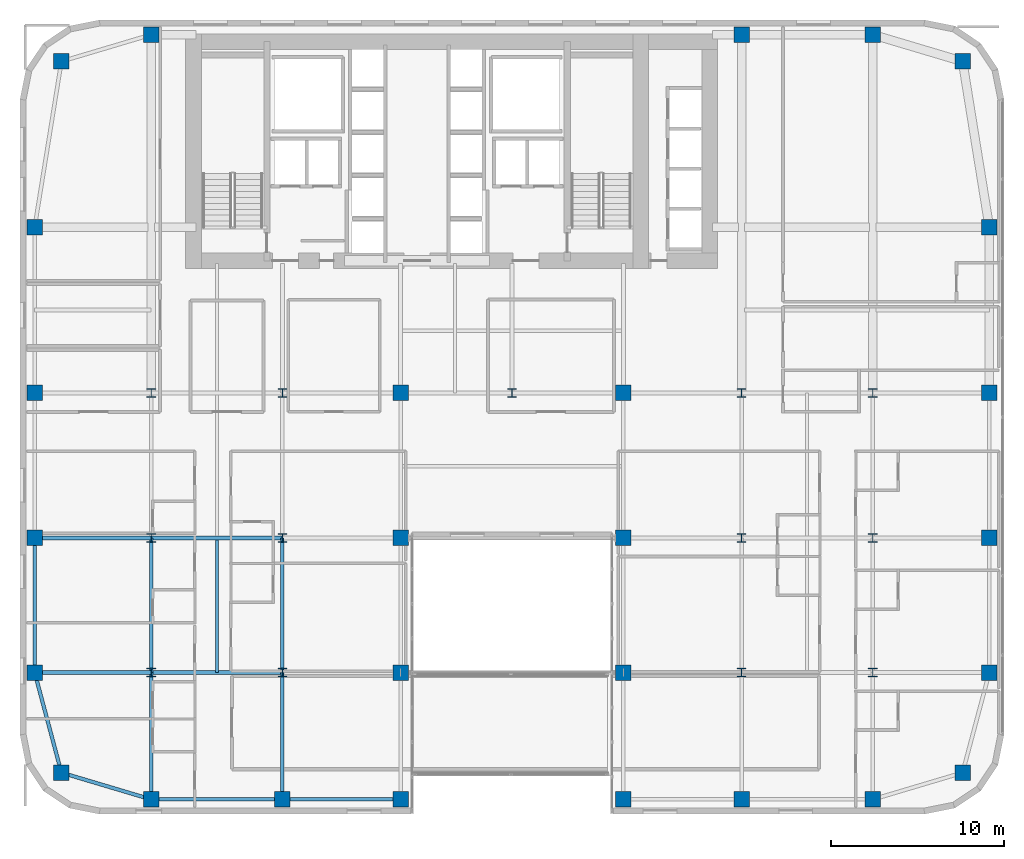
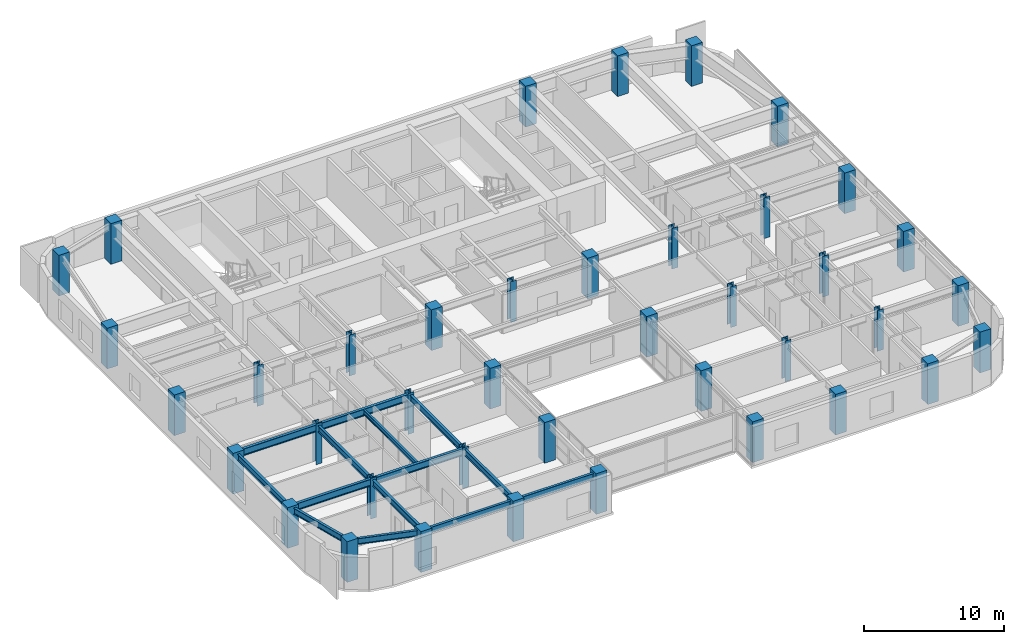
# One storey, part 1 of 25: 40 columns, 14 beams.
"""IFC4 building model written with IfcOpenShell, lengths in metres."""

from ifc_helpers import new_model, si_unit, direction, frame, origin, origin_2d, place, context, subcontext, project, spatial, rectangle, i_section, extrude, source, transform, mapped, material, material_profile, profile_set, type_object, type_shapes, element, save


model = new_model("IFC4")

# Units and contexts
model_context = context("Model", 3, precision=1e-05, world=origin(), true_north=direction((0.0, 1.0)))
body_context = subcontext(model_context, "Body", "Model", "MODEL_VIEW")
ifc_project = project(units=[si_unit("LENGTHUNIT", "METRE"), si_unit("AREAUNIT", "SQUARE_METRE"), si_unit("VOLUMEUNIT", "CUBIC_METRE"), si_unit("PLANEANGLEUNIT", "RADIAN"), si_unit("MASSUNIT", "GRAM", prefix="KILO")], contexts=[model_context])

# Site, building, storey
site_placement = place(None, origin())
site = spatial("IfcSite", under=ifc_project, at=site_placement, CompositionType="ELEMENT")
building_placement = place(site_placement, origin())
building = spatial("IfcBuilding", under=site, at=building_placement, Name="Tolvann Quenvar Hotel", CompositionType="ELEMENT")
storey_placement = place(building_placement, frame((0.0, 0.0, 78.14990234375)))
storey = spatial("IfcBuildingStorey", under=building, at=storey_placement, Name="L19", CompositionType="ELEMENT", Elevation=78.14990234375)

# Columns
ifc_material_1 = material(Name="Concrete S65 (65 MPa)", Category="concrete")
ifc_material_profile_1 = material_profile(ifc_material_1, rectangle(XDim=0.89990234375, YDim=0.89990234375, at=origin_2d()), Name="RC900x900")
ifc_profile_set_1 = profile_set([ifc_material_profile_1], Name="Concrete S65 (65 MPa)")
column_type_1 = type_object("IfcColumnType", Name="COL_RC900", PredefinedType="COLUMN", material=ifc_profile_set_1)
shared_shape_1 = source(origin(), body_context, "Body", "SweptSolid", [
    extrude(rectangle(XDim=0.89990234375, YDim=0.89990234375, at=origin_2d()), origin(), (0.0, 0.0, 1.0), 3.550048828125),
])
type_shapes(column_type_1, [shared_shape_1])
for number, where, z_axis, x_axis, name in (
    (1, (2.39990234375, 2.39990234375, 0.0), (0.0, 0.0, 1.0), (1.0, 0.0, 0.0), "Column B2 (L19)"),
    (2, (0.85009765625, 8.199951171875, 0.0), (0.0, 0.0, 1.0), (1.0, 0.0, 0.0), "Column B3 (L19)"),
    (3, (0.85009765625, 16.0, 0.0), (0.0, 0.0, 1.0), (1.0, 0.0, 0.0), "Column B4 (L19)"),
    (4, (0.85009765625, 24.39990234375, 0.0), (0.0, 0.0, 1.0), (1.0, 0.0, 0.0), "Column B5 (L19)"),
    (5, (7.60009765625, 0.85009765625, 0.0), (0.0, 0.0, 1.0), (1.0, 0.0, 0.0), "Column C2 (L19)"),
    (6, (15.199951171875, 0.85009765625, 0.0), (0.0, 0.0, 1.0), (1.0, 0.0, 0.0), "Column D2 (L19)"),
    (7, (22.050048828125, 0.85009765625, 0.0), (0.0, 0.0, 1.0), (1.0, 0.0, 0.0), "Column E2 (L19)"),
    (8, (22.050048828125, 8.199951171875, 0.0), (0.0, 0.0, 1.0), (1.0, 0.0, 0.0), "Column E3 (L19)"),
    (9, (22.050048828125, 16.0, 0.0), (0.0, 0.0, 1.0), (1.0, 0.0, 0.0), "Column E4 (L19)"),
    (10, (22.050048828125, 24.39990234375, 0.0), (0.0, 0.0, 1.0), (1.0, 0.0, 0.0), "Column E5 (L19)"),
    (11, (34.949951171875, 0.85009765625, 0.0), (0.0, 0.0, 1.0), (1.0, 0.0, 0.0), "Column F2 (L19)"),
    (12, (34.949951171875, 8.199951171875, 0.0), (0.0, 0.0, 1.0), (1.0, 0.0, 0.0), "Column F3 (L19)"),
    (13, (34.949951171875, 16.0, 0.0), (0.0, 0.0, 1.0), (1.0, 0.0, 0.0), "Column F4 (L19)"),
    (14, (34.949951171875, 24.39990234375, 0.0), (0.0, 0.0, 1.0), (1.0, 0.0, 0.0), "Column F5 (L19)"),
    (15, (41.800048828125, 0.85009765625, 0.0), (0.0, 0.0, 1.0), (1.0, 0.0, 0.0), "Column H2 (L19)"),
    (16, (49.39990234375, 0.85009765625, 0.0), (0.0, 0.0, 1.0), (1.0, 0.0, 0.0), "Column I2 (L19)"),
    (17, (54.60009765625, 2.39990234375, 0.0), (0.0, 0.0, 1.0), (1.0, 0.0, 0.0), "Column J2 (L19)"),
    (18, (56.14990234375, 8.199951171875, 0.0), (0.0, 0.0, 1.0), (1.0, 0.0, 0.0), "Column J3 (L19)"),
    (19, (56.14990234375, 16.0, 0.0), (0.0, 0.0, 1.0), (1.0, 0.0, 0.0), "Column J4 (L19)"),
    (20, (56.14990234375, 24.39990234375, 0.0), (0.0, 0.0, 1.0), (1.0, 0.0, 0.0), "Column J5 (L19)"),
    (21, (2.39990234375, 43.60009765625, 0.0), (0.0, 0.0, 1.0), (1.0, 0.0, 0.0), "Column BN (L19)"),
    (22, (7.60009765625, 45.14990234375, 0.0), (0.0, 0.0, 1.0), (1.0, 0.0, 0.0), "Column CN (L19)"),
    (23, (0.85009765625, 34.0, 0.0), (0.0, 0.0, 1.0), (1.0, 0.0, 0.0), "Column BD6 (L19)"),
    (24, (41.800048828125, 45.14990234375, 0.0), (0.0, 0.0, 1.0), (1.0, 0.0, 0.0), "Column HN (L19)"),
    (25, (49.39990234375, 45.14990234375, 0.0), (0.0, 0.0, 1.0), (1.0, 0.0, 0.0), "Column IN (L19)"),
    (26, (54.60009765625, 43.60009765625, 0.0), (0.0, 0.0, 1.0), (1.0, 0.0, 0.0), "Column JN (L19)"),
    (27, (56.14990234375, 34.0, 0.0), (0.0, 0.0, 1.0), (1.0, 0.0, 0.0), "Column JD6 (L19)"),
):
    element("IfcColumn", number, at=place(storey_placement, frame(where, z_axis=z_axis, x_axis=x_axis)), inside=storey, type_object=column_type_1, Name=name, PredefinedType="COLUMN", context=body_context, shape_type="MappedRepresentation", body=[
        mapped(shared_shape_1, transform((0.0, 0.0, 0.0), x_axis=(1.0, 0.0, 0.0), y_axis=(0.0, 1.0, 0.0), z_axis=(0.0, 0.0, 1.0), scale=1.0)),
    ])
ifc_material_2 = material(Name="Steel Grade 350", Category="steel")
ifc_material_profile_2 = material_profile(ifc_material_2, i_section(OverallWidth=0.5, OverallDepth=0.5, WebThickness=0.02197265625, FlangeThickness=0.033935546875, at=origin_2d()), Name="500WC340")
ifc_profile_set_2 = profile_set([ifc_material_profile_2], Name="Steel Grade 350")
column_type_2 = type_object("IfcColumnType", Name="COL_500WC340", PredefinedType="COLUMN", material=ifc_profile_set_2)
shared_shape_2 = source(origin(), body_context, "Body", "SweptSolid", [
    extrude(i_section(OverallWidth=0.5, OverallDepth=0.5, WebThickness=0.02197265625, FlangeThickness=0.033935546875, at=origin_2d()), origin(), (0.0, 0.0, 1.0), 3.550048828125),
])
type_shapes(column_type_2, [shared_shape_2])
for number, where, z_axis, x_axis, name in (
    (28, (7.60009765625, 8.199951171875, 0.0), (0.0, 0.0, 1.0), (1.0, 0.0, 0.0), "Column C3 (L19)"),
    (29, (7.60009765625, 16.0, 0.0), (0.0, 0.0, 1.0), (1.0, 0.0, 0.0), "Column C4 (L19)"),
    (30, (7.60009765625, 24.39990234375, 0.0), (0.0, 0.0, 1.0), (1.0, 0.0, 0.0), "Column C5 (L19)"),
    (31, (15.199951171875, 8.199951171875, 0.0), (0.0, 0.0, 1.0), (1.0, 0.0, 0.0), "Column D3 (L19)"),
    (32, (15.199951171875, 16.0, 0.0), (0.0, 0.0, 1.0), (1.0, 0.0, 0.0), "Column D4 (L19)"),
    (33, (15.199951171875, 24.39990234375, 0.0), (0.0, 0.0, 1.0), (1.0, 0.0, 0.0), "Column D5 (L19)"),
    (34, (41.800048828125, 8.199951171875, 0.0), (0.0, 0.0, 1.0), (1.0, 0.0, 0.0), "Column H3 (L19)"),
    (35, (41.800048828125, 16.0, 0.0), (0.0, 0.0, 1.0), (1.0, 0.0, 0.0), "Column H4 (L19)"),
    (36, (41.800048828125, 24.39990234375, 0.0), (0.0, 0.0, 1.0), (1.0, 0.0, 0.0), "Column H5 (L19)"),
    (37, (49.39990234375, 8.199951171875, 0.0), (0.0, 0.0, 1.0), (1.0, 0.0, 0.0), "Column I3 (L19)"),
    (38, (49.39990234375, 16.0, 0.0), (0.0, 0.0, 1.0), (1.0, 0.0, 0.0), "Column I4 (L19)"),
    (39, (49.39990234375, 24.39990234375, 0.0), (0.0, 0.0, 1.0), (1.0, 0.0, 0.0), "Column I5 (L19)"),
    (40, (28.5, 24.39990234375, 0.0), (0.0, 0.0, 1.0), (1.0, 0.0, 0.0), "Column M5 (L19)"),
):
    element("IfcColumn", number, at=place(storey_placement, frame(where, z_axis=z_axis, x_axis=x_axis)), inside=storey, type_object=column_type_2, Name=name, PredefinedType="COLUMN", context=body_context, shape_type="MappedRepresentation", body=[
        mapped(shared_shape_2, transform((0.0, 0.0, 0.0), x_axis=(1.0, 0.0, 0.0), y_axis=(0.0, 1.0, 0.0), z_axis=(0.0, 0.0, 1.0), scale=1.0)),
    ])

# Beams
ifc_material_profile_3 = material_profile(ifc_material_2, i_section(OverallWidth=0.208984375, OverallDepth=0.528076171875, WebThickness=0.009521484375, FlangeThickness=0.01318359375, FilletRadius=0.013916015625, at=origin_2d()), Name="530UB82")
ifc_profile_set_3 = profile_set([ifc_material_profile_3], Name="Steel Grade 350")
beam_type_1 = type_object("IfcBeamType", Name="BM_SPAND_530UB82", PredefinedType="SPANDREL", material=ifc_profile_set_3)
shared_shape_3 = source(origin(), body_context, "Body", "SweptSolid", [
    extrude(i_section(OverallWidth=0.208984375, OverallDepth=0.528076171875, WebThickness=0.009521484375, FlangeThickness=0.01318359375, FilletRadius=0.013916015625, at=origin_2d()), origin(), (0.0, 0.0, 1.0), 5.42626953125),
])
beam_1_placement = place(storey_placement, frame((2.39990234375, 2.39990234375, 3.106201171875), z_axis=(0.958344815522, -0.285613750654, 0.0), x_axis=(0.285613750654, 0.958344815522, 0.0)))
element("IfcBeam", 41, at=beam_1_placement, inside=storey, type_object=beam_type_1, Name="BM-L19-EW-2-B2-C2", PredefinedType="SPANDREL", context=body_context, shape_type="MappedRepresentation", body=[
    mapped(shared_shape_3, transform((0.0, 0.0, 0.0), x_axis=(1.0, 0.0, 0.0), y_axis=(0.0, 1.0, 0.0), z_axis=(0.0, 0.0, 1.0), scale=1.0)),
])
shared_shape_4 = source(origin(), body_context, "Body", "SweptSolid", [
    extrude(i_section(OverallWidth=0.208984375, OverallDepth=0.528076171875, WebThickness=0.009521484375, FlangeThickness=0.01318359375, FilletRadius=0.013916015625, at=origin_2d()), origin(), (0.0, 0.0, 1.0), 7.599853515625),
])
beam_2_placement = place(storey_placement, frame((7.60009765625, 0.85009765625, 3.106201171875), z_axis=(1.0, 0.0, 0.0), x_axis=(0.0, 1.0, 0.0)))
element("IfcBeam", 42, at=beam_2_placement, inside=storey, type_object=beam_type_1, Name="BM-L19-EW-2-C2-D2", PredefinedType="SPANDREL", context=body_context, shape_type="MappedRepresentation", body=[
    mapped(shared_shape_4, transform((0.0, 0.0, 0.0), x_axis=(1.0, 0.0, 0.0), y_axis=(0.0, 1.0, 0.0), z_axis=(0.0, 0.0, 1.0), scale=1.0)),
])
shared_shape_5 = source(origin(), body_context, "Body", "SweptSolid", [
    extrude(i_section(OverallWidth=0.208984375, OverallDepth=0.528076171875, WebThickness=0.009521484375, FlangeThickness=0.01318359375, FilletRadius=0.013916015625, at=origin_2d()), origin(), (0.0, 0.0, 1.0), 6.85009765625),
])
beam_3_placement = place(storey_placement, frame((15.199951171875, 0.85009765625, 3.106201171875), z_axis=(1.0, 0.0, 0.0), x_axis=(0.0, 1.0, 0.0)))
element("IfcBeam", 43, at=beam_3_placement, inside=storey, type_object=beam_type_1, Name="BM-L19-EW-2-D2-E2", PredefinedType="SPANDREL", context=body_context, shape_type="MappedRepresentation", body=[
    mapped(shared_shape_5, transform((0.0, 0.0, 0.0), x_axis=(1.0, 0.0, 0.0), y_axis=(0.0, 1.0, 0.0), z_axis=(0.0, 0.0, 1.0), scale=1.0)),
])
ifc_material_profile_4 = material_profile(ifc_material_2, i_section(OverallWidth=0.22900390625, OverallDepth=0.612060546875, WebThickness=0.011962890625, FlangeThickness=0.01953125, FilletRadius=0.013916015625, at=origin_2d()), Name="610UB125")
ifc_profile_set_4 = profile_set([ifc_material_profile_4], Name="Steel Grade 350")
beam_type_2 = type_object("IfcBeamType", Name="BM_GIRD_610UB125", PredefinedType="BEAM", material=ifc_profile_set_4)
shared_shape_6 = source(origin(), body_context, "Body", "SweptSolid", [
    extrude(i_section(OverallWidth=0.22900390625, OverallDepth=0.612060546875, WebThickness=0.011962890625, FlangeThickness=0.01953125, FilletRadius=0.013916015625, at=origin_2d()), origin(), (0.0, 0.0, 1.0), 6.75),
])
for number, where, z_axis, x_axis, name in (
    (44, (0.85009765625, 8.199951171875, 3.064208984375), (1.0, 0.0, 0.0), (0.0, 1.0, 0.0), "BM-L19-EW-3-B3-C3"),
    (45, (0.85009765625, 16.0, 3.064208984375), (1.0, 0.0, 0.0), (0.0, 1.0, 0.0), "BM-L19-EW-4-B4-C4"),
):
    element("IfcBeam", number, at=place(storey_placement, frame(where, z_axis=z_axis, x_axis=x_axis)), inside=storey, type_object=beam_type_2, Name=name, PredefinedType="BEAM", context=body_context, shape_type="MappedRepresentation", body=[
        mapped(shared_shape_6, transform((0.0, 0.0, 0.0), x_axis=(1.0, 0.0, 0.0), y_axis=(0.0, 1.0, 0.0), z_axis=(0.0, 0.0, 1.0), scale=1.0)),
    ])
shared_shape_7 = source(origin(), body_context, "Body", "SweptSolid", [
    extrude(i_section(OverallWidth=0.22900390625, OverallDepth=0.612060546875, WebThickness=0.011962890625, FlangeThickness=0.01953125, FilletRadius=0.013916015625, at=origin_2d()), origin(), (0.0, 0.0, 1.0), 7.599853515625),
])
type_shapes(beam_type_2, [shared_shape_6, shared_shape_7])
for number, where, z_axis, x_axis, name in (
    (46, (7.60009765625, 8.199951171875, 3.064208984375), (1.0, 0.0, 0.0), (0.0, 1.0, 0.0), "BM-L19-EW-3-C3-D3"),
    (47, (7.60009765625, 16.0, 3.064208984375), (1.0, 0.0, 0.0), (0.0, 1.0, 0.0), "BM-L19-EW-4-C4-D4"),
):
    element("IfcBeam", number, at=place(storey_placement, frame(where, z_axis=z_axis, x_axis=x_axis)), inside=storey, type_object=beam_type_2, Name=name, PredefinedType="BEAM", context=body_context, shape_type="MappedRepresentation", body=[
        mapped(shared_shape_7, transform((0.0, 0.0, 0.0), x_axis=(1.0, 0.0, 0.0), y_axis=(0.0, 1.0, 0.0), z_axis=(0.0, 0.0, 1.0), scale=1.0)),
    ])
shared_shape_8 = source(origin(), body_context, "Body", "SweptSolid", [
    extrude(i_section(OverallWidth=0.208984375, OverallDepth=0.528076171875, WebThickness=0.009521484375, FlangeThickness=0.01318359375, FilletRadius=0.013916015625, at=origin_2d()), origin(), (0.0, 0.0, 1.0), 6.00341796875),
])
beam_4_placement = place(storey_placement, frame((2.39990234375, 2.39990234375, 3.106201171875), z_axis=(-0.258148586649, 0.966105225745, 0.0), x_axis=(-0.966105225745, -0.258148586649, 0.0)))
element("IfcBeam", 48, at=beam_4_placement, inside=storey, type_object=beam_type_1, Name="BM-L19-NS-B2-B3", PredefinedType="SPANDREL", context=body_context, shape_type="MappedRepresentation", body=[
    mapped(shared_shape_8, transform((0.0, 0.0, 0.0), x_axis=(1.0, 0.0, 0.0), y_axis=(0.0, 1.0, 0.0), z_axis=(0.0, 0.0, 1.0), scale=1.0)),
])
shared_shape_9 = source(origin(), body_context, "Body", "SweptSolid", [
    extrude(i_section(OverallWidth=0.208984375, OverallDepth=0.528076171875, WebThickness=0.009521484375, FlangeThickness=0.01318359375, FilletRadius=0.013916015625, at=origin_2d()), origin(), (0.0, 0.0, 1.0), 7.800048828125),
])
type_shapes(beam_type_1, [shared_shape_3, shared_shape_4, shared_shape_5, shared_shape_8, shared_shape_9])
beam_5_placement = place(storey_placement, frame((0.85009765625, 8.199951171875, 3.106201171875), z_axis=(0.0, 1.0, 0.0), x_axis=(-1.0, 0.0, 0.0)))
element("IfcBeam", 49, at=beam_5_placement, inside=storey, type_object=beam_type_1, Name="BM-L19-NS-B3-B4", PredefinedType="SPANDREL", context=body_context, shape_type="MappedRepresentation", body=[
    mapped(shared_shape_9, transform((0.0, 0.0, 0.0), x_axis=(1.0, 0.0, 0.0), y_axis=(0.0, 1.0, 0.0), z_axis=(0.0, 0.0, 1.0), scale=1.0)),
])
ifc_material_profile_5 = material_profile(ifc_material_2, i_section(OverallWidth=0.208984375, OverallDepth=0.532958984375, WebThickness=0.01025390625, FlangeThickness=0.015625, FilletRadius=0.013916015625, at=origin_2d()), Name="530UB92")
ifc_profile_set_5 = profile_set([ifc_material_profile_5], Name="Steel Grade 350")
beam_type_3 = type_object("IfcBeamType", Name="BM_GIRD_530UB92", PredefinedType="BEAM", material=ifc_profile_set_5)
shared_shape_10 = source(origin(), body_context, "Body", "SweptSolid", [
    extrude(i_section(OverallWidth=0.208984375, OverallDepth=0.532958984375, WebThickness=0.01025390625, FlangeThickness=0.015625, FilletRadius=0.013916015625, at=origin_2d()), origin(), (0.0, 0.0, 1.0), 7.349853515625),
])
for number, where, z_axis, x_axis, name in (
    (50, (7.60009765625, 0.85009765625, 3.103515625), (0.0, 1.0, 0.0), (-1.0, 0.0, 0.0), "BM-L19-NS-C2-C3"),
    (51, (15.199951171875, 0.85009765625, 3.103515625), (0.0, 1.0, 0.0), (-1.0, 0.0, 0.0), "BM-L19-NS-D2-D3"),
):
    element("IfcBeam", number, at=place(storey_placement, frame(where, z_axis=z_axis, x_axis=x_axis)), inside=storey, type_object=beam_type_3, Name=name, PredefinedType="BEAM", context=body_context, shape_type="MappedRepresentation", body=[
        mapped(shared_shape_10, transform((0.0, 0.0, 0.0), x_axis=(1.0, 0.0, 0.0), y_axis=(0.0, 1.0, 0.0), z_axis=(0.0, 0.0, 1.0), scale=1.0)),
    ])
shared_shape_11 = source(origin(), body_context, "Body", "SweptSolid", [
    extrude(i_section(OverallWidth=0.208984375, OverallDepth=0.532958984375, WebThickness=0.01025390625, FlangeThickness=0.015625, FilletRadius=0.013916015625, at=origin_2d()), origin(), (0.0, 0.0, 1.0), 7.800048828125),
])
type_shapes(beam_type_3, [shared_shape_10, shared_shape_11])
for number, where, z_axis, x_axis, name in (
    (52, (7.60009765625, 8.199951171875, 3.103515625), (0.0, 1.0, 0.0), (-1.0, 0.0, 0.0), "BM-L19-NS-C3-C4"),
    (53, (15.199951171875, 8.199951171875, 3.103515625), (0.0, 1.0, 0.0), (-1.0, 0.0, 0.0), "BM-L19-NS-D3-D4"),
):
    element("IfcBeam", number, at=place(storey_placement, frame(where, z_axis=z_axis, x_axis=x_axis)), inside=storey, type_object=beam_type_3, Name=name, PredefinedType="BEAM", context=body_context, shape_type="MappedRepresentation", body=[
        mapped(shared_shape_11, transform((0.0, 0.0, 0.0), x_axis=(1.0, 0.0, 0.0), y_axis=(0.0, 1.0, 0.0), z_axis=(0.0, 0.0, 1.0), scale=1.0)),
    ])
ifc_material_profile_6 = material_profile(ifc_material_2, i_section(OverallWidth=0.177978515625, OverallDepth=0.406005859375, WebThickness=0.0078125, FlangeThickness=0.0126953125, FilletRadius=0.011474609375, at=origin_2d()), Name="410UB60")
ifc_profile_set_6 = profile_set([ifc_material_profile_6], Name="Steel Grade 350")
beam_type_4 = type_object("IfcBeamType", Name="BM_JOIST_410UB60", PredefinedType="JOIST", material=ifc_profile_set_6)
shared_shape_12 = source(origin(), body_context, "Body", "SweptSolid", [
    extrude(i_section(OverallWidth=0.177978515625, OverallDepth=0.406005859375, WebThickness=0.0078125, FlangeThickness=0.0126953125, FilletRadius=0.011474609375, at=origin_2d()), origin(), (0.0, 0.0, 1.0), 7.691650390625),
])
type_shapes(beam_type_4, [shared_shape_12])
beam_6_placement = place(storey_placement, frame((11.39990234375, 8.199951171875, 3.1669921875), z_axis=(0.0, 1.0, 0.0), x_axis=(-1.0, 0.0, 0.0)))
element("IfcBeam", 54, at=beam_6_placement, inside=storey, type_object=beam_type_4, Name="BJ-L19-114-82", PredefinedType="JOIST", context=body_context, shape_type="MappedRepresentation", body=[
    mapped(shared_shape_12, transform((0.0, 0.0, 0.0), x_axis=(1.0, 0.0, 0.0), y_axis=(0.0, 1.0, 0.0), z_axis=(0.0, 0.0, 1.0), scale=1.0)),
])

save(model, "model.ifc")
